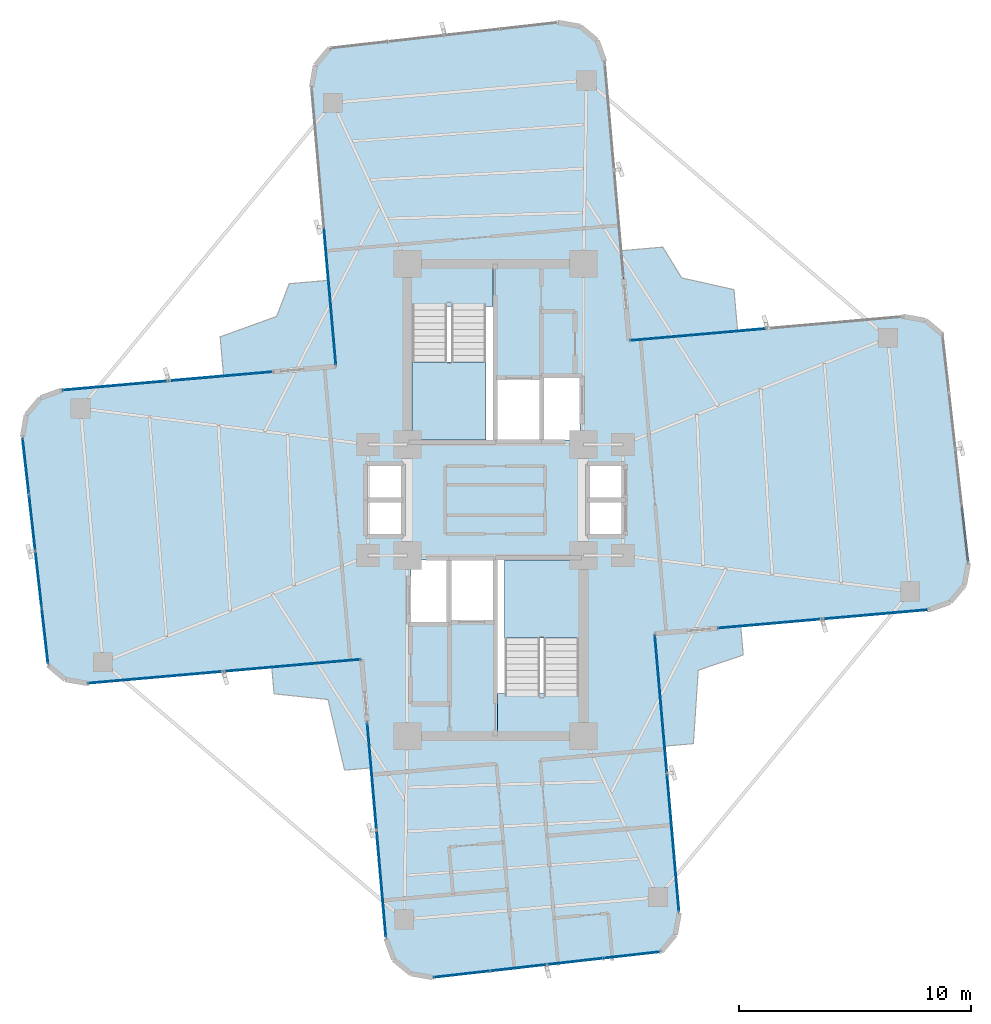
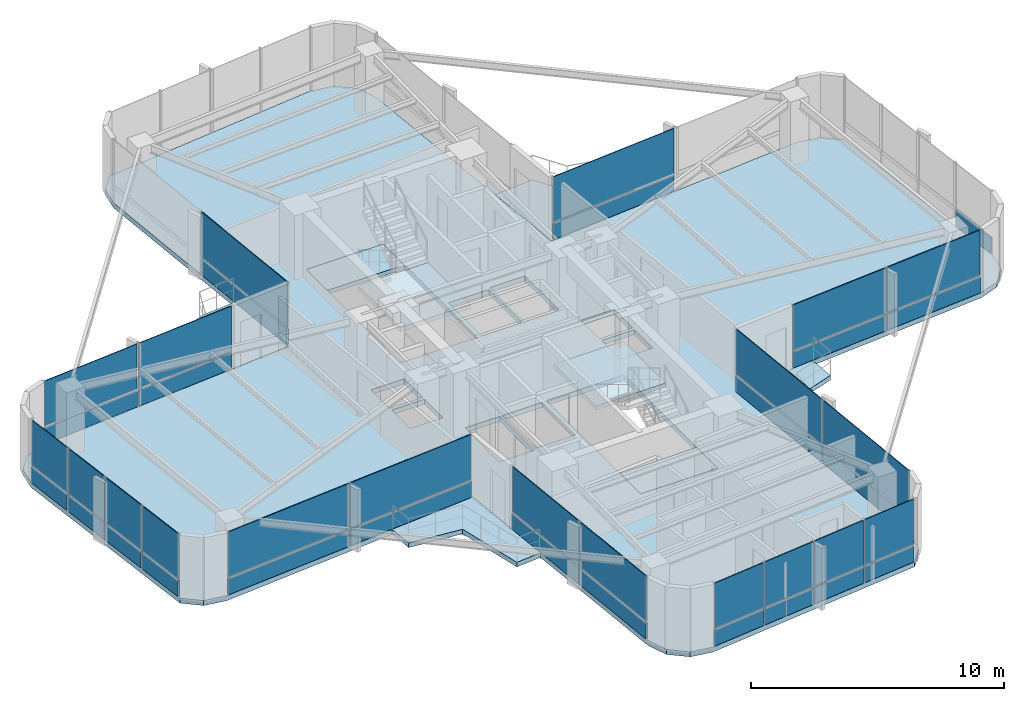
# One storey, part 19 of 24: 41 plates, 9 slabs, 12 elements without a shape of their own.
"""IFC4 building model written with IfcOpenShell, lengths in metres."""

from ifc_helpers import new_model, si_unit, direction, frame, origin, origin_2d, place, context, subcontext, project, spatial, polyline, rectangle, outline, extrude, source, transform, mapped, material, layer, layer_set, type_object, element, aggregate, save


model = new_model("IFC4")

# Units and contexts
model_context = context("Model", 3, precision=1e-05, world=origin(), true_north=direction((0.0, 1.0)))
body_context = subcontext(model_context, "Body", "Model", "MODEL_VIEW")
ifc_project = project(units=[si_unit("LENGTHUNIT", "METRE"), si_unit("AREAUNIT", "SQUARE_METRE"), si_unit("VOLUMEUNIT", "CUBIC_METRE"), si_unit("PLANEANGLEUNIT", "RADIAN"), si_unit("MASSUNIT", "GRAM", prefix="KILO")], contexts=[model_context])

# Site, building, storey
site_placement = place(None, origin())
site = spatial("IfcSite", under=ifc_project, at=site_placement, CompositionType="ELEMENT")
building_placement = place(site_placement, origin())
building = spatial("IfcBuilding", under=site, at=building_placement, Name="Sahyath Konkavel Grand Hotel", CompositionType="ELEMENT")
storey_placement = place(building_placement, frame((0.0, 0.0, 160.64990234375)))
storey = spatial("IfcBuildingStorey", under=building, at=storey_placement, Name="L44", CompositionType="ELEMENT", Elevation=160.64990234375)

# Slabs
ifc_material_1 = material(Name="Concrete C40/50", Category="concrete")
ifc_layer_1 = layer(ifc_material_1, 0.239990234375)
ifc_layer_set_1 = layer_set([ifc_layer_1], Name="Concrete C40/50")
slab_type_1 = type_object("IfcSlabType", Name="SLB-240", PredefinedType="FLOOR", material=ifc_layer_set_1)
slab_1_placement = place(storey_placement, frame((0.0, 0.0, -0.239990234375)))
element("IfcSlab", 1, at=slab_1_placement, inside=storey, type_object=slab_type_1, Name="L44 Structural Floor Slab", PredefinedType="FLOOR", context=body_context, shape_type="SweptSolid", body=[
    extrude(outline(polyline([(6.87939453125, -5.7724609375), (18.73388671875, -4.735107421875), (19.6337890625, -4.40771484375), (20.24951171875, -3.674072265625), (20.415771484375, -2.73095703125), (19.3037109375, 7.134521484375), (18.5703125, 7.75), (17.627197265625, 7.91650390625), (5.7724609375, 6.87939453125), (4.7177734375, 18.93310546875), (4.390380859375, 19.8330078125), (3.65673828125, 20.44873046875), (2.713623046875, 20.614990234375), (-7.152099609375, 19.5029296875), (-7.767578125, 18.769287109375), (-7.933837890625, 17.826416015625), (-6.87939453125, 5.7724609375), (-18.73388671875, 4.735107421875), (-19.6337890625, 4.40771484375), (-20.24951171875, 3.674072265625), (-20.415771484375, 2.73095703125), (-19.3037109375, -7.134521484375), (-18.5703125, -7.75), (-17.627197265625, -7.91650390625), (-5.7724609375, -6.87939453125), (-4.7177734375, -18.93310546875), (-4.390380859375, -19.8330078125), (-3.65673828125, -20.44873046875), (-2.713623046875, -20.614990234375), (7.152099609375, -19.5029296875), (7.767578125, -18.769287109375), (7.933837890625, -17.826416015625), (6.87939453125, -5.7724609375)]), holes=[polyline([(-3.6201171875, 2.580078125), (-0.10009765625, 2.580078125), (-0.10009765625, 10.02001953125), (-3.6201171875, 10.02001953125), (-3.6201171875, 2.580078125)]), polyline([(0.10009765625, -10.02001953125), (3.6201171875, -10.02001953125), (3.6201171875, -2.580078125), (0.10009765625, -2.580078125), (0.10009765625, -10.02001953125)]), polyline([(0.10009765625, 2.60009765625), (1.949951171875, 2.60009765625), (1.949951171875, 5.199951171875), (0.10009765625, 5.199951171875), (0.10009765625, 2.60009765625)]), polyline([(-1.949951171875, -5.199951171875), (-0.10009765625, -5.199951171875), (-0.10009765625, -2.60009765625), (-1.949951171875, -2.60009765625), (-1.949951171875, -5.199951171875)]), polyline([(2.050048828125, 2.60009765625), (3.64990234375, 2.60009765625), (3.64990234375, 5.300048828125), (2.050048828125, 5.300048828125), (2.050048828125, 2.60009765625)]), polyline([(-3.64990234375, -5.300048828125), (-2.050048828125, -5.300048828125), (-2.050048828125, -2.60009765625), (-3.64990234375, -2.60009765625), (-3.64990234375, -5.300048828125)]), polyline([(4.050048828125, 0.080078125), (5.550048828125, 0.080078125), (5.550048828125, 1.5400390625), (4.050048828125, 1.5400390625), (4.050048828125, 0.080078125)]), polyline([(4.050048828125, -1.5400390625), (5.550048828125, -1.5400390625), (5.550048828125, -0.080078125), (4.050048828125, -0.080078125), (4.050048828125, -1.5400390625)]), polyline([(-5.550048828125, 0.080078125), (-4.050048828125, 0.080078125), (-4.050048828125, 1.5400390625), (-5.550048828125, 1.5400390625), (-5.550048828125, 0.080078125)]), polyline([(-5.550048828125, -1.5400390625), (-4.050048828125, -1.5400390625), (-4.050048828125, -0.080078125), (-5.550048828125, -0.080078125), (-5.550048828125, -1.5400390625)])]), origin(), (0.0, 0.0, 1.0), 0.239990234375),
])
ifc_layer_2 = layer(ifc_material_1, 0.219970703125)
ifc_layer_set_2 = layer_set([ifc_layer_2], Name="Concrete C40/50")
slab_type_2 = type_object("IfcSlabType", Name="SLB-BALCONY-220", PredefinedType="FLOOR", material=ifc_layer_set_2)
slab_2_placement = place(storey_placement, frame((0.0, 0.0, -0.219970703125)))
element("IfcSlab", 2, at=slab_2_placement, inside=storey, type_object=slab_type_2, Name="L44 Winter-Garden Balcony NE", PredefinedType="FLOOR", context=body_context, shape_type="SweptSolid", body=[
    extrude(outline(polyline([(5.7724609375, 6.87939453125), (10.45751953125, 7.289306640625), (10.300537109375, 9.082275390625), (8.044921875, 9.587646484375), (7.225830078125, 10.918212890625), (5.432861328125, 10.761474609375), (5.7724609375, 6.87939453125)])), origin(), (0.0, 0.0, 1.0), 0.219970703125),
])
slab_3_placement = place(storey_placement, frame((0.0, 0.0, -0.219970703125)))
element("IfcSlab", 3, at=slab_3_placement, inside=storey, type_object=slab_type_2, Name="L44 Winter-Garden Balcony NW", PredefinedType="FLOOR", context=body_context, shape_type="SweptSolid", body=[
    extrude(outline(polyline([(-6.87939453125, 5.7724609375), (-7.2041015625, 9.485107421875), (-8.901123046875, 9.336669921875), (-9.4423828125, 7.923095703125), (-11.882080078125, 7.044677734375), (-11.733642578125, 5.34765625), (-6.87939453125, 5.7724609375)])), origin(), (0.0, 0.0, 1.0), 0.219970703125),
])
slab_4_placement = place(storey_placement, frame((0.0, 0.0, -0.219970703125)))
element("IfcSlab", 4, at=slab_4_placement, inside=storey, type_object=slab_type_2, Name="L44 Winter-Garden Balcony SW", PredefinedType="FLOOR", context=body_context, shape_type="SweptSolid", body=[
    extrude(outline(polyline([(-5.7724609375, -6.87939453125), (-9.654541015625, -7.218994140625), (-9.55419921875, -8.366455078125), (-7.226806640625, -8.612548828125), (-6.510009765625, -11.664794921875), (-5.362548828125, -11.564453125), (-5.7724609375, -6.87939453125)])), origin(), (0.0, 0.0, 1.0), 0.219970703125),
])
slab_5_placement = place(storey_placement, frame((0.0, 0.0, -0.219970703125)))
element("IfcSlab", 5, at=slab_5_placement, inside=storey, type_object=slab_type_2, Name="L44 Winter-Garden Balcony SE", PredefinedType="FLOOR", context=body_context, shape_type="SweptSolid", body=[
    extrude(outline(polyline([(6.87939453125, -5.7724609375), (7.303955078125, -10.626953125), (8.547607421875, -10.51806640625), (8.7578125, -7.3486328125), (10.700927734375, -6.69140625), (10.592041015625, -5.447509765625), (6.87939453125, -5.7724609375)])), origin(), (0.0, 0.0, 1.0), 0.219970703125),
])

# Stair, slab
stair_type = type_object("IfcStairType", Name="STR-ST16-335", PredefinedType="HALF_TURN_STAIR", material=ifc_material_1)
stair_1_placement = place(storey_placement, origin())
stair_1 = element("IfcStair", 6, at=stair_1_placement, inside=storey, type_object=stair_type, Name="L44 North Core Smokeproof Exit Stair ST-1", PredefinedType="HALF_TURN_STAIR")
ifc_layer_3 = layer(ifc_material_1, 0.199951171875)
ifc_layer_set_3 = layer_set([ifc_layer_3], Name="Concrete C40/50")
slab_type_3 = type_object("IfcSlabType", Name="SLB-STAIR-LND", PredefinedType="LANDING", material=ifc_layer_set_3)
slab_6_placement = place(storey_placement, frame((0.0, 0.0, 1.47509765625)))
slab_6 = element("IfcSlab", 7, at=slab_6_placement, type_object=slab_type_3, Name="ST-1 landing 1", PredefinedType="LANDING", context=body_context, shape_type="SweptSolid", body=[
    extrude(outline(polyline([(-3.60009765625, 5.9599609375), (-3.60009765625, 2.60009765625), (-0.39990234375, 2.60009765625), (-0.39990234375, 5.9599609375), (-3.60009765625, 5.9599609375)])), origin(), (0.0, 0.0, 1.0), 0.199951171875),
])
aggregate(stair_1, [slab_6])

stair_2_placement = place(storey_placement, origin())
stair_2 = element("IfcStair", 8, at=stair_2_placement, inside=storey, type_object=stair_type, Name="L44 South Core Smokeproof Exit Stair ST-2", PredefinedType="HALF_TURN_STAIR")
slab_7_placement = place(storey_placement, frame((0.0, 0.0, 1.47509765625)))
slab_7 = element("IfcSlab", 9, at=slab_7_placement, type_object=slab_type_3, Name="ST-2 landing 1", PredefinedType="LANDING", context=body_context, shape_type="SweptSolid", body=[
    extrude(outline(polyline([(3.60009765625, -5.9599609375), (3.60009765625, -2.60009765625), (0.39990234375, -2.60009765625), (0.39990234375, -5.9599609375), (3.60009765625, -5.9599609375)])), origin(), (0.0, 0.0, 1.0), 0.199951171875),
])
aggregate(stair_2, [slab_7])

# Slabs
slab_8_placement = place(storey_placement, frame((0.0, 0.0, -0.199951171875)))
element("IfcSlab", 10, at=slab_8_placement, inside=storey, type_object=slab_type_3, Name="L44 Stair ST-1 Floor Landing Slab", PredefinedType="LANDING", context=body_context, shape_type="SweptSolid", body=[
    extrude(outline(polyline([(-3.6201171875, 8.35009765625), (-0.10009765625, 8.35009765625), (-0.10009765625, 10.02001953125), (-3.6201171875, 10.02001953125), (-3.6201171875, 8.35009765625)])), origin(), (0.0, 0.0, 1.0), 0.199951171875),
])
slab_9_placement = place(storey_placement, frame((0.0, 0.0, -0.199951171875)))
element("IfcSlab", 11, at=slab_9_placement, inside=storey, type_object=slab_type_3, Name="L44 Stair ST-2 Floor Landing Slab", PredefinedType="LANDING", context=body_context, shape_type="SweptSolid", body=[
    extrude(outline(polyline([(0.10009765625, -10.02001953125), (3.6201171875, -10.02001953125), (3.6201171875, -8.35009765625), (0.10009765625, -8.35009765625), (0.10009765625, -10.02001953125)])), origin(), (0.0, 0.0, 1.0), 0.199951171875),
])

# Curtain wall, plates
ifc_material_2 = material(Name="Anodised Bronze Aluminium & Low-E Glazing", Category="aluminium")
curtain_wall_type = type_object("IfcCurtainWallType", Name="CW-ZONE3", PredefinedType="NOTDEFINED", material=ifc_material_2)
curtain_wall_1_placement = place(storey_placement, origin())
curtain_wall_1 = element("IfcCurtainWall", 12, at=curtain_wall_1_placement, inside=storey, type_object=curtain_wall_type, Name="L44 Unitised Curtain Wall F0", PredefinedType="NOTDEFINED")
ifc_material_3 = material(Name="Warm Buff Sandstone Cladding", Category="masonry")
ifc_layer_4 = layer(ifc_material_3, 0.074951171875)
ifc_layer_set_4 = layer_set([ifc_layer_4], Name="Warm Buff Sandstone Cladding")
plate_type_1 = type_object("IfcPlateType", Name="PNL-SPANDREL-STONE", PredefinedType="SHEET", material=ifc_layer_set_4)
shared_shape_1 = source(origin(), body_context, "Body", "SweptSolid", [
    extrude(rectangle(XDim=4.47998046875, YDim=0.074951171875, at=origin_2d()), origin(), (0.0, 0.0, 1.0), 0.77001953125),
])
plate_1_placement = place(storey_placement, frame((11.880126953125, -5.334716796875, 0.0400390625), z_axis=(0.0, 0.0, 1.0), x_axis=(0.996194698092, 0.087155742748, 0.0)))
plate_1 = element("IfcPlate", 13, at=plate_1_placement, type_object=plate_type_1, Name="L44 Sandstone Relief Spandrel Panel F0-0", PredefinedType="SHEET", context=body_context, shape_type="MappedRepresentation", body=[
    mapped(shared_shape_1, transform((0.0, 0.0, 0.0), scale=1.0)),
])
plate_2_placement = place(storey_placement, frame((16.4228515625, -4.9375, 0.0400390625), z_axis=(0.0, 0.0, 1.0), x_axis=(0.996194698092, 0.087155742748, 0.0)))
plate_2 = element("IfcPlate", 14, at=plate_2_placement, type_object=plate_type_1, Name="L44 Sandstone Relief Spandrel Panel F0-1", PredefinedType="SHEET", context=body_context, shape_type="MappedRepresentation", body=[
    mapped(shared_shape_1, transform((0.0, 0.0, 0.0), scale=1.0)),
])

curtain_wall_2_placement = place(storey_placement, origin())
curtain_wall_2 = element("IfcCurtainWall", 15, at=curtain_wall_2_placement, inside=storey, type_object=curtain_wall_type, Name="L44 Unitised Curtain Wall F16", PredefinedType="NOTDEFINED")
plate_3_placement = place(storey_placement, frame((-11.880126953125, 5.334716796875, 0.0400390625), z_axis=(0.0, 0.0, 1.0), x_axis=(-0.996194698092, -0.087155742748, 0.0)))
plate_3 = element("IfcPlate", 16, at=plate_3_placement, type_object=plate_type_1, Name="L44 Sandstone Relief Spandrel Panel F16-0", PredefinedType="SHEET", context=body_context, shape_type="MappedRepresentation", body=[
    mapped(shared_shape_1, transform((0.0, 0.0, 0.0), scale=1.0)),
])
plate_4_placement = place(storey_placement, frame((-16.4228515625, 4.9375, 0.0400390625), z_axis=(0.0, 0.0, 1.0), x_axis=(-0.996194698092, -0.087155742748, 0.0)))
plate_4 = element("IfcPlate", 17, at=plate_4_placement, type_object=plate_type_1, Name="L44 Sandstone Relief Spandrel Panel F16-1", PredefinedType="SHEET", context=body_context, shape_type="MappedRepresentation", body=[
    mapped(shared_shape_1, transform((0.0, 0.0, 0.0), scale=1.0)),
])

# Curtain wall, plate
curtain_wall_3_placement = place(storey_placement, origin())
curtain_wall_3 = element("IfcCurtainWall", 18, at=curtain_wall_3_placement, inside=storey, type_object=curtain_wall_type, Name="L44 Unitised Curtain Wall F4", PredefinedType="NOTDEFINED")
shared_shape_2 = source(origin(), body_context, "Body", "SweptSolid", [
    extrude(rectangle(XDim=2.382080078125, YDim=0.074951171875, at=origin_2d()), origin(), (0.0, 0.0, 1.0), 0.77001953125),
])
plate_5_placement = place(storey_placement, frame((20.2734375, -1.468017578125, 0.0400390625), z_axis=(0.0, 0.0, 1.0), x_axis=(-0.111989252568, 0.993709417943, 0.0)))
plate_5 = element("IfcPlate", 19, at=plate_5_placement, type_object=plate_type_1, Name="L44 Sandstone Relief Spandrel Panel F4-0", PredefinedType="SHEET", context=body_context, shape_type="MappedRepresentation", body=[
    mapped(shared_shape_2, transform((0.0, 0.0, 0.0), scale=1.0)),
])
aggregate(curtain_wall_3, [plate_5])

# Curtain wall, plates
curtain_wall_4_placement = place(storey_placement, origin())
curtain_wall_4 = element("IfcCurtainWall", 20, at=curtain_wall_4_placement, inside=storey, type_object=curtain_wall_type, Name="L44 Unitised Curtain Wall F20", PredefinedType="NOTDEFINED")
plate_6_placement = place(storey_placement, frame((-20.2734375, 1.468017578125, 0.0400390625), z_axis=(0.0, 0.0, 1.0), x_axis=(0.111989252568, -0.993709417943, 0.0)))
plate_6 = element("IfcPlate", 21, at=plate_6_placement, type_object=plate_type_1, Name="L44 Sandstone Relief Spandrel Panel F20-0", PredefinedType="SHEET", context=body_context, shape_type="MappedRepresentation", body=[
    mapped(shared_shape_2, transform((0.0, 0.0, 0.0), scale=1.0)),
])
plate_7_placement = place(storey_placement, frame((-19.99755859375, -0.978515625, 0.0400390625), z_axis=(0.0, 0.0, 1.0), x_axis=(0.111989252568, -0.993709417943, 0.0)))
plate_7 = element("IfcPlate", 22, at=plate_7_placement, type_object=plate_type_1, Name="L44 Sandstone Relief Spandrel Panel F20-1", PredefinedType="SHEET", context=body_context, shape_type="MappedRepresentation", body=[
    mapped(shared_shape_2, transform((0.0, 0.0, 0.0), scale=1.0)),
])
plate_8_placement = place(storey_placement, frame((-19.7216796875, -3.425048828125, 0.0400390625), z_axis=(0.0, 0.0, 1.0), x_axis=(0.111989252568, -0.993709417943, 0.0)))
plate_8 = element("IfcPlate", 23, at=plate_8_placement, type_object=plate_type_1, Name="L44 Sandstone Relief Spandrel Panel F20-2", PredefinedType="SHEET", context=body_context, shape_type="MappedRepresentation", body=[
    mapped(shared_shape_2, transform((0.0, 0.0, 0.0), scale=1.0)),
])
plate_9_placement = place(storey_placement, frame((-19.446044921875, -5.87158203125, 0.0400390625), z_axis=(0.0, 0.0, 1.0), x_axis=(0.111989252568, -0.993709417943, 0.0)))
plate_9 = element("IfcPlate", 24, at=plate_9_placement, type_object=plate_type_1, Name="L44 Sandstone Relief Spandrel Panel F20-3", PredefinedType="SHEET", context=body_context, shape_type="MappedRepresentation", body=[
    mapped(shared_shape_2, transform((0.0, 0.0, 0.0), scale=1.0)),
])

curtain_wall_5_placement = place(storey_placement, origin())
curtain_wall_5 = element("IfcCurtainWall", 25, at=curtain_wall_5_placement, inside=storey, type_object=curtain_wall_type, Name="L44 Unitised Curtain Wall F28", PredefinedType="NOTDEFINED")
plate_10_placement = place(storey_placement, frame((-1.45068359375, -20.47265625, 0.0400390625), z_axis=(0.0, 0.0, 1.0), x_axis=(0.993707463211, 0.112006596052, 0.0)))
plate_10 = element("IfcPlate", 26, at=plate_10_placement, type_object=plate_type_1, Name="L44 Sandstone Relief Spandrel Panel F28-0", PredefinedType="SHEET", context=body_context, shape_type="MappedRepresentation", body=[
    mapped(shared_shape_2, transform((0.0, 0.0, 0.0), scale=1.0)),
])
plate_11_placement = place(storey_placement, frame((0.995849609375, -20.197021484375, 0.0400390625), z_axis=(0.0, 0.0, 1.0), x_axis=(0.993707463211, 0.112006596052, 0.0)))
plate_11 = element("IfcPlate", 27, at=plate_11_placement, type_object=plate_type_1, Name="L44 Sandstone Relief Spandrel Panel F28-1", PredefinedType="SHEET", context=body_context, shape_type="MappedRepresentation", body=[
    mapped(shared_shape_2, transform((0.0, 0.0, 0.0), scale=1.0)),
])
plate_12_placement = place(storey_placement, frame((3.4423828125, -19.921142578125, 0.0400390625), z_axis=(0.0, 0.0, 1.0), x_axis=(0.993707463211, 0.112006596052, 0.0)))
plate_12 = element("IfcPlate", 28, at=plate_12_placement, type_object=plate_type_1, Name="L44 Sandstone Relief Spandrel Panel F28-2", PredefinedType="SHEET", context=body_context, shape_type="MappedRepresentation", body=[
    mapped(shared_shape_2, transform((0.0, 0.0, 0.0), scale=1.0)),
])
plate_13_placement = place(storey_placement, frame((5.888916015625, -19.6455078125, 0.0400390625), z_axis=(0.0, 0.0, 1.0), x_axis=(0.993707463211, 0.112006596052, 0.0)))
plate_13 = element("IfcPlate", 29, at=plate_13_placement, type_object=plate_type_1, Name="L44 Sandstone Relief Spandrel Panel F28-3", PredefinedType="SHEET", context=body_context, shape_type="MappedRepresentation", body=[
    mapped(shared_shape_2, transform((0.0, 0.0, 0.0), scale=1.0)),
])

# Curtain wall, plate
curtain_wall_6_placement = place(storey_placement, origin())
curtain_wall_6 = element("IfcCurtainWall", 30, at=curtain_wall_6_placement, inside=storey, type_object=curtain_wall_type, Name="L44 Unitised Curtain Wall F7", PredefinedType="NOTDEFINED")
shared_shape_3 = source(origin(), body_context, "Body", "SweptSolid", [
    extrude(rectangle(XDim=5.830078125, YDim=0.074951171875, at=origin_2d()), origin(), (0.0, 0.0, 1.0), 0.77001953125),
])
plate_14_placement = place(storey_placement, frame((8.756103515625, 7.140380859375, 0.0400390625), z_axis=(0.0, 0.0, 1.0), x_axis=(-0.996194698092, -0.087155742748, 0.0)))
plate_14 = element("IfcPlate", 31, at=plate_14_placement, type_object=plate_type_1, Name="L44 Sandstone Relief Spandrel Panel F7-1", PredefinedType="SHEET", context=body_context, shape_type="MappedRepresentation", body=[
    mapped(shared_shape_3, transform((0.0, 0.0, 0.0), scale=1.0)),
])

# Curtain wall, plates
curtain_wall_7_placement = place(storey_placement, origin())
curtain_wall_7 = element("IfcCurtainWall", 32, at=curtain_wall_7_placement, inside=storey, type_object=curtain_wall_type, Name="L44 Unitised Curtain Wall F23", PredefinedType="NOTDEFINED")
plate_15_placement = place(storey_placement, frame((-14.6435546875, -7.655517578125, 0.0400390625), z_axis=(0.0, 0.0, 1.0), x_axis=(0.996194698092, 0.087155742748, 0.0)))
plate_15 = element("IfcPlate", 33, at=plate_15_placement, type_object=plate_type_1, Name="L44 Sandstone Relief Spandrel Panel F23-0", PredefinedType="SHEET", context=body_context, shape_type="MappedRepresentation", body=[
    mapped(shared_shape_3, transform((0.0, 0.0, 0.0), scale=1.0)),
])
plate_16_placement = place(storey_placement, frame((-8.756103515625, -7.140380859375, 0.0400390625), z_axis=(0.0, 0.0, 1.0), x_axis=(0.996194698092, 0.087155742748, 0.0)))
plate_16 = element("IfcPlate", 34, at=plate_16_placement, type_object=plate_type_1, Name="L44 Sandstone Relief Spandrel Panel F23-1", PredefinedType="SHEET", context=body_context, shape_type="MappedRepresentation", body=[
    mapped(shared_shape_3, transform((0.0, 0.0, 0.0), scale=1.0)),
])

curtain_wall_8_placement = place(storey_placement, origin())
curtain_wall_8 = element("IfcCurtainWall", 35, at=curtain_wall_8_placement, inside=storey, type_object=curtain_wall_type, Name="L44 Unitised Curtain Wall F24", PredefinedType="NOTDEFINED")
shared_shape_4 = source(origin(), body_context, "Body", "SweptSolid", [
    extrude(rectangle(XDim=4.580078125, YDim=0.074951171875, at=origin_2d()), origin(), (0.0, 0.0, 1.0), 0.77001953125),
])
plate_17_placement = place(storey_placement, frame((-5.33056640625, -11.929931640625, 0.0400390625), z_axis=(0.0, 0.0, 1.0), x_axis=(0.087155742748, -0.996194698092, 0.0)))
plate_17 = element("IfcPlate", 36, at=plate_17_placement, type_object=plate_type_1, Name="L44 Sandstone Relief Spandrel Panel F24-0", PredefinedType="SHEET", context=body_context, shape_type="MappedRepresentation", body=[
    mapped(shared_shape_4, transform((0.0, 0.0, 0.0), scale=1.0)),
])
plate_18_placement = place(storey_placement, frame((-4.92431640625, -16.572265625, 0.0400390625), z_axis=(0.0, 0.0, 1.0), x_axis=(0.087155742748, -0.996194698092, 0.0)))
plate_18 = element("IfcPlate", 37, at=plate_18_placement, type_object=plate_type_1, Name="L44 Sandstone Relief Spandrel Panel F24-1", PredefinedType="SHEET", context=body_context, shape_type="MappedRepresentation", body=[
    mapped(shared_shape_4, transform((0.0, 0.0, 0.0), scale=1.0)),
])

# Curtain wall, plate
curtain_wall_9_placement = place(storey_placement, origin())
curtain_wall_9 = element("IfcCurtainWall", 38, at=curtain_wall_9_placement, inside=storey, type_object=curtain_wall_type, Name="L44 Unitised Curtain Wall F15", PredefinedType="NOTDEFINED")
shared_shape_5 = source(origin(), body_context, "Body", "SweptSolid", [
    extrude(rectangle(XDim=5.929931640625, YDim=0.074951171875, at=origin_2d()), origin(), (0.0, 0.0, 1.0), 0.77001953125),
])
plate_19_placement = place(storey_placement, frame((-7.144775390625, 8.805908203125, 0.0400390625), z_axis=(0.0, 0.0, 1.0), x_axis=(0.087155742748, -0.996194698092, 0.0)))
plate_19 = element("IfcPlate", 39, at=plate_19_placement, type_object=plate_type_1, Name="L44 Sandstone Relief Spandrel Panel F15-1", PredefinedType="SHEET", context=body_context, shape_type="MappedRepresentation", body=[
    mapped(shared_shape_5, transform((0.0, 0.0, 0.0), scale=1.0)),
])

# Curtain wall, plates
curtain_wall_10_placement = place(storey_placement, origin())
curtain_wall_10 = element("IfcCurtainWall", 40, at=curtain_wall_10_placement, inside=storey, type_object=curtain_wall_type, Name="L44 Unitised Curtain Wall F31", PredefinedType="NOTDEFINED")
plate_20_placement = place(storey_placement, frame((7.66845703125, -14.79296875, 0.0400390625), z_axis=(0.0, 0.0, 1.0), x_axis=(-0.087155742748, 0.996194698092, 0.0)))
plate_20 = element("IfcPlate", 41, at=plate_20_placement, type_object=plate_type_1, Name="L44 Sandstone Relief Spandrel Panel F31-0", PredefinedType="SHEET", context=body_context, shape_type="MappedRepresentation", body=[
    mapped(shared_shape_5, transform((0.0, 0.0, 0.0), scale=1.0)),
])
plate_21_placement = place(storey_placement, frame((7.144775390625, -8.805908203125, 0.0400390625), z_axis=(0.0, 0.0, 1.0), x_axis=(-0.087155742748, 0.996194698092, 0.0)))
plate_21 = element("IfcPlate", 42, at=plate_21_placement, type_object=plate_type_1, Name="L44 Sandstone Relief Spandrel Panel F31-1", PredefinedType="SHEET", context=body_context, shape_type="MappedRepresentation", body=[
    mapped(shared_shape_5, transform((0.0, 0.0, 0.0), scale=1.0)),
])

# Plate
ifc_material_4 = material(Name="Low-E Solar Control Double Glazing", Category="glass")
ifc_layer_5 = layer(ifc_material_4, 0.035888671875)
ifc_layer_set_5 = layer_set([ifc_layer_5], Name="Low-E Solar Control Double Glazing")
plate_type_2 = type_object("IfcPlateType", Name="PNL-VISION-LOWE", PredefinedType="CURTAIN_PANEL", material=ifc_layer_set_5)
shared_shape_6 = source(origin(), body_context, "Body", "SweptSolid", [
    extrude(rectangle(XDim=4.47998046875, YDim=0.035888671875, at=origin_2d()), origin(), (0.0, 0.0, 1.0), 2.179931640625),
])
plate_22_placement = place(storey_placement, frame((11.880126953125, -5.334716796875, 0.89013671875), z_axis=(0.0, 0.0, 1.0), x_axis=(0.996194698092, 0.087155742748, 0.0)))
plate_22 = element("IfcPlate", 43, at=plate_22_placement, type_object=plate_type_2, Name="L44 Low-E Vision Glazing Panel F0-0", PredefinedType="CURTAIN_PANEL", context=body_context, shape_type="MappedRepresentation", body=[
    mapped(shared_shape_6, transform((0.0, 0.0, 0.0), scale=1.0)),
])

plate_23_placement = place(storey_placement, frame((16.4228515625, -4.9375, 0.89013671875), z_axis=(0.0, 0.0, 1.0), x_axis=(0.996194698092, 0.087155742748, 0.0)))
plate_23 = element("IfcPlate", 44, at=plate_23_placement, type_object=plate_type_2, Name="L44 Low-E Vision Glazing Panel F0-1", PredefinedType="CURTAIN_PANEL", context=body_context, shape_type="MappedRepresentation", body=[
    mapped(shared_shape_6, transform((0.0, 0.0, 0.0), scale=1.0)),
])

aggregate(curtain_wall_1, [plate_1, plate_22, plate_2, plate_23])

plate_24_placement = place(storey_placement, frame((-11.880126953125, 5.334716796875, 0.89013671875), z_axis=(0.0, 0.0, 1.0), x_axis=(-0.996194698092, -0.087155742748, 0.0)))
plate_24 = element("IfcPlate", 45, at=plate_24_placement, type_object=plate_type_2, Name="L44 Low-E Vision Glazing Panel F16-0", PredefinedType="CURTAIN_PANEL", context=body_context, shape_type="MappedRepresentation", body=[
    mapped(shared_shape_6, transform((0.0, 0.0, 0.0), scale=1.0)),
])

plate_25_placement = place(storey_placement, frame((-16.4228515625, 4.9375, 0.89013671875), z_axis=(0.0, 0.0, 1.0), x_axis=(-0.996194698092, -0.087155742748, 0.0)))
plate_25 = element("IfcPlate", 46, at=plate_25_placement, type_object=plate_type_2, Name="L44 Low-E Vision Glazing Panel F16-1", PredefinedType="CURTAIN_PANEL", context=body_context, shape_type="MappedRepresentation", body=[
    mapped(shared_shape_6, transform((0.0, 0.0, 0.0), scale=1.0)),
])

aggregate(curtain_wall_2, [plate_3, plate_24, plate_4, plate_25])

shared_shape_7 = source(origin(), body_context, "Body", "SweptSolid", [
    extrude(rectangle(XDim=2.382080078125, YDim=0.035888671875, at=origin_2d()), origin(), (0.0, 0.0, 1.0), 2.179931640625),
])
plate_26_placement = place(storey_placement, frame((-20.2734375, 1.468017578125, 0.89013671875), z_axis=(0.0, 0.0, 1.0), x_axis=(0.111989252568, -0.993709417943, 0.0)))
plate_26 = element("IfcPlate", 47, at=plate_26_placement, type_object=plate_type_2, Name="L44 Low-E Vision Glazing Panel F20-0", PredefinedType="CURTAIN_PANEL", context=body_context, shape_type="MappedRepresentation", body=[
    mapped(shared_shape_7, transform((0.0, 0.0, 0.0), scale=1.0)),
])

plate_27_placement = place(storey_placement, frame((-19.99755859375, -0.978515625, 0.89013671875), z_axis=(0.0, 0.0, 1.0), x_axis=(0.111989252568, -0.993709417943, 0.0)))
plate_27 = element("IfcPlate", 48, at=plate_27_placement, type_object=plate_type_2, Name="L44 Low-E Vision Glazing Panel F20-1", PredefinedType="CURTAIN_PANEL", context=body_context, shape_type="MappedRepresentation", body=[
    mapped(shared_shape_7, transform((0.0, 0.0, 0.0), scale=1.0)),
])

plate_28_placement = place(storey_placement, frame((-19.7216796875, -3.425048828125, 0.89013671875), z_axis=(0.0, 0.0, 1.0), x_axis=(0.111989252568, -0.993709417943, 0.0)))
plate_28 = element("IfcPlate", 49, at=plate_28_placement, type_object=plate_type_2, Name="L44 Low-E Vision Glazing Panel F20-2", PredefinedType="CURTAIN_PANEL", context=body_context, shape_type="MappedRepresentation", body=[
    mapped(shared_shape_7, transform((0.0, 0.0, 0.0), scale=1.0)),
])

plate_29_placement = place(storey_placement, frame((-19.446044921875, -5.87158203125, 0.89013671875), z_axis=(0.0, 0.0, 1.0), x_axis=(0.111989252568, -0.993709417943, 0.0)))
plate_29 = element("IfcPlate", 50, at=plate_29_placement, type_object=plate_type_2, Name="L44 Low-E Vision Glazing Panel F20-3", PredefinedType="CURTAIN_PANEL", context=body_context, shape_type="MappedRepresentation", body=[
    mapped(shared_shape_7, transform((0.0, 0.0, 0.0), scale=1.0)),
])

aggregate(curtain_wall_4, [plate_6, plate_26, plate_7, plate_27, plate_8, plate_28, plate_9, plate_29])

plate_30_placement = place(storey_placement, frame((-1.45068359375, -20.47265625, 0.89013671875), z_axis=(0.0, 0.0, 1.0), x_axis=(0.993707463211, 0.112006596052, 0.0)))
plate_30 = element("IfcPlate", 51, at=plate_30_placement, type_object=plate_type_2, Name="L44 Low-E Vision Glazing Panel F28-0", PredefinedType="CURTAIN_PANEL", context=body_context, shape_type="MappedRepresentation", body=[
    mapped(shared_shape_7, transform((0.0, 0.0, 0.0), scale=1.0)),
])

plate_31_placement = place(storey_placement, frame((0.995849609375, -20.197021484375, 0.89013671875), z_axis=(0.0, 0.0, 1.0), x_axis=(0.993707463211, 0.112006596052, 0.0)))
plate_31 = element("IfcPlate", 52, at=plate_31_placement, type_object=plate_type_2, Name="L44 Low-E Vision Glazing Panel F28-1", PredefinedType="CURTAIN_PANEL", context=body_context, shape_type="MappedRepresentation", body=[
    mapped(shared_shape_7, transform((0.0, 0.0, 0.0), scale=1.0)),
])

plate_32_placement = place(storey_placement, frame((3.4423828125, -19.921142578125, 0.89013671875), z_axis=(0.0, 0.0, 1.0), x_axis=(0.993707463211, 0.112006596052, 0.0)))
plate_32 = element("IfcPlate", 53, at=plate_32_placement, type_object=plate_type_2, Name="L44 Low-E Vision Glazing Panel F28-2", PredefinedType="CURTAIN_PANEL", context=body_context, shape_type="MappedRepresentation", body=[
    mapped(shared_shape_7, transform((0.0, 0.0, 0.0), scale=1.0)),
])

plate_33_placement = place(storey_placement, frame((5.888916015625, -19.6455078125, 0.89013671875), z_axis=(0.0, 0.0, 1.0), x_axis=(0.993707463211, 0.112006596052, 0.0)))
plate_33 = element("IfcPlate", 54, at=plate_33_placement, type_object=plate_type_2, Name="L44 Low-E Vision Glazing Panel F28-3", PredefinedType="CURTAIN_PANEL", context=body_context, shape_type="MappedRepresentation", body=[
    mapped(shared_shape_7, transform((0.0, 0.0, 0.0), scale=1.0)),
])

aggregate(curtain_wall_5, [plate_10, plate_30, plate_11, plate_31, plate_12, plate_32, plate_13, plate_33])

shared_shape_8 = source(origin(), body_context, "Body", "SweptSolid", [
    extrude(rectangle(XDim=5.830078125, YDim=0.035888671875, at=origin_2d()), origin(), (0.0, 0.0, 1.0), 2.179931640625),
])
plate_34_placement = place(storey_placement, frame((8.756103515625, 7.140380859375, 0.89013671875), z_axis=(0.0, 0.0, 1.0), x_axis=(-0.996194698092, -0.087155742748, 0.0)))
plate_34 = element("IfcPlate", 55, at=plate_34_placement, type_object=plate_type_2, Name="L44 Low-E Vision Glazing Panel F7-1", PredefinedType="CURTAIN_PANEL", context=body_context, shape_type="MappedRepresentation", body=[
    mapped(shared_shape_8, transform((0.0, 0.0, 0.0), scale=1.0)),
])

aggregate(curtain_wall_6, [plate_14, plate_34])

plate_35_placement = place(storey_placement, frame((-14.6435546875, -7.655517578125, 0.89013671875), z_axis=(0.0, 0.0, 1.0), x_axis=(0.996194698092, 0.087155742748, 0.0)))
plate_35 = element("IfcPlate", 56, at=plate_35_placement, type_object=plate_type_2, Name="L44 Low-E Vision Glazing Panel F23-0", PredefinedType="CURTAIN_PANEL", context=body_context, shape_type="MappedRepresentation", body=[
    mapped(shared_shape_8, transform((0.0, 0.0, 0.0), scale=1.0)),
])

plate_36_placement = place(storey_placement, frame((-8.756103515625, -7.140380859375, 0.89013671875), z_axis=(0.0, 0.0, 1.0), x_axis=(0.996194698092, 0.087155742748, 0.0)))
plate_36 = element("IfcPlate", 57, at=plate_36_placement, type_object=plate_type_2, Name="L44 Low-E Vision Glazing Panel F23-1", PredefinedType="CURTAIN_PANEL", context=body_context, shape_type="MappedRepresentation", body=[
    mapped(shared_shape_8, transform((0.0, 0.0, 0.0), scale=1.0)),
])

aggregate(curtain_wall_7, [plate_15, plate_35, plate_16, plate_36])

shared_shape_9 = source(origin(), body_context, "Body", "SweptSolid", [
    extrude(rectangle(XDim=4.580078125, YDim=0.035888671875, at=origin_2d()), origin(), (0.0, 0.0, 1.0), 2.179931640625),
])
plate_37_placement = place(storey_placement, frame((-5.33056640625, -11.929931640625, 0.89013671875), z_axis=(0.0, 0.0, 1.0), x_axis=(0.087155742748, -0.996194698092, 0.0)))
plate_37 = element("IfcPlate", 58, at=plate_37_placement, type_object=plate_type_2, Name="L44 Low-E Vision Glazing Panel F24-0", PredefinedType="CURTAIN_PANEL", context=body_context, shape_type="MappedRepresentation", body=[
    mapped(shared_shape_9, transform((0.0, 0.0, 0.0), scale=1.0)),
])

plate_38_placement = place(storey_placement, frame((-4.92431640625, -16.572265625, 0.89013671875), z_axis=(0.0, 0.0, 1.0), x_axis=(0.087155742748, -0.996194698092, 0.0)))
plate_38 = element("IfcPlate", 59, at=plate_38_placement, type_object=plate_type_2, Name="L44 Low-E Vision Glazing Panel F24-1", PredefinedType="CURTAIN_PANEL", context=body_context, shape_type="MappedRepresentation", body=[
    mapped(shared_shape_9, transform((0.0, 0.0, 0.0), scale=1.0)),
])

aggregate(curtain_wall_8, [plate_17, plate_37, plate_18, plate_38])

shared_shape_10 = source(origin(), body_context, "Body", "SweptSolid", [
    extrude(rectangle(XDim=5.929931640625, YDim=0.035888671875, at=origin_2d()), origin(), (0.0, 0.0, 1.0), 2.179931640625),
])
plate_39_placement = place(storey_placement, frame((-7.144775390625, 8.805908203125, 0.89013671875), z_axis=(0.0, 0.0, 1.0), x_axis=(0.087155742748, -0.996194698092, 0.0)))
plate_39 = element("IfcPlate", 60, at=plate_39_placement, type_object=plate_type_2, Name="L44 Low-E Vision Glazing Panel F15-1", PredefinedType="CURTAIN_PANEL", context=body_context, shape_type="MappedRepresentation", body=[
    mapped(shared_shape_10, transform((0.0, 0.0, 0.0), scale=1.0)),
])

aggregate(curtain_wall_9, [plate_19, plate_39])

plate_40_placement = place(storey_placement, frame((7.66845703125, -14.79296875, 0.89013671875), z_axis=(0.0, 0.0, 1.0), x_axis=(-0.087155742748, 0.996194698092, 0.0)))
plate_40 = element("IfcPlate", 61, at=plate_40_placement, type_object=plate_type_2, Name="L44 Low-E Vision Glazing Panel F31-0", PredefinedType="CURTAIN_PANEL", context=body_context, shape_type="MappedRepresentation", body=[
    mapped(shared_shape_10, transform((0.0, 0.0, 0.0), scale=1.0)),
])

plate_41_placement = place(storey_placement, frame((7.144775390625, -8.805908203125, 0.89013671875), z_axis=(0.0, 0.0, 1.0), x_axis=(-0.087155742748, 0.996194698092, 0.0)))
plate_41 = element("IfcPlate", 62, at=plate_41_placement, type_object=plate_type_2, Name="L44 Low-E Vision Glazing Panel F31-1", PredefinedType="CURTAIN_PANEL", context=body_context, shape_type="MappedRepresentation", body=[
    mapped(shared_shape_10, transform((0.0, 0.0, 0.0), scale=1.0)),
])

aggregate(curtain_wall_10, [plate_20, plate_40, plate_21, plate_41])

save(model, "model.ifc")
